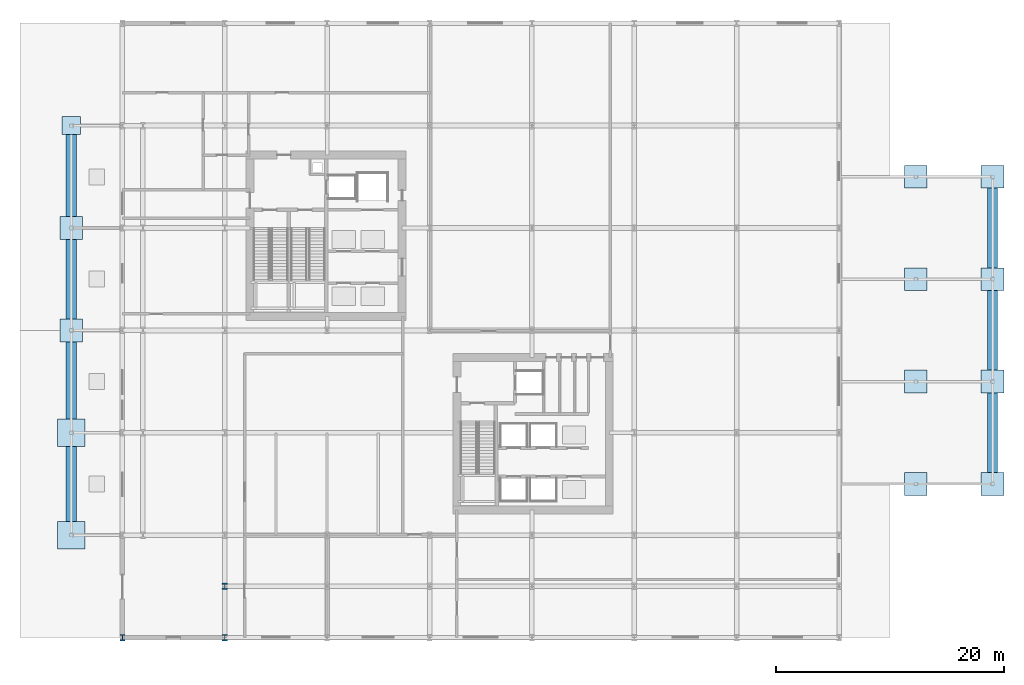
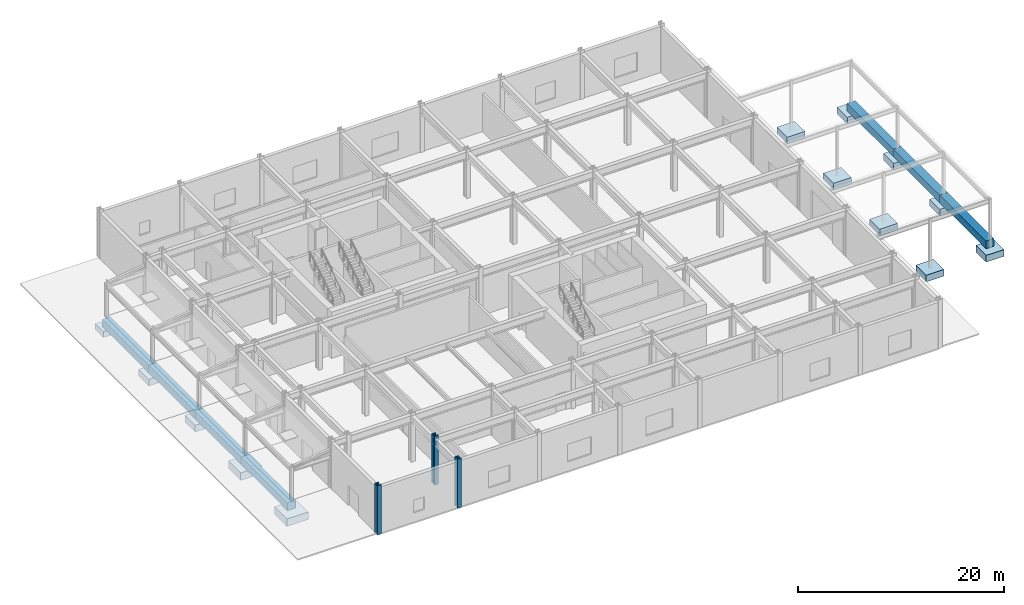
# One storey, part 1 of 19: 20 footings, 3 columns.
"""IFC4 building model written with IfcOpenShell, lengths in metres."""

from ifc_helpers import new_model, si_unit, direction, frame, origin, origin_2d, place, context, subcontext, project, spatial, rectangle, i_section, extrude, material, layer, layer_set, material_profile, profile_set, type_object, element, save


model = new_model("IFC4")

# Units and contexts
model_context = context("Model", 3, precision=1e-05, world=origin(), true_north=direction((0.0, 1.0)))
body_context = subcontext(model_context, "Body", "Model", "MODEL_VIEW")
ifc_project = project(units=[si_unit("LENGTHUNIT", "METRE"), si_unit("AREAUNIT", "SQUARE_METRE"), si_unit("VOLUMEUNIT", "CUBIC_METRE"), si_unit("PLANEANGLEUNIT", "RADIAN"), si_unit("MASSUNIT", "GRAM", prefix="KILO")], contexts=[model_context])

# Site, building, storey
site_placement = place(None, origin())
site = spatial("IfcSite", under=ifc_project, at=site_placement, CompositionType="ELEMENT")
building_placement = place(site_placement, origin())
building = spatial("IfcBuilding", under=site, at=building_placement, Name="Solvaryn Broadcast Tower", CompositionType="ELEMENT")
storey_placement = place(building_placement, origin())
storey = spatial("IfcBuildingStorey", under=building, at=storey_placement, Name="L00", CompositionType="ELEMENT", Elevation=0.0)

# Footings
ifc_material_1 = material(Name="Concrete f'c 60 MPa", Category="concrete")
ifc_material_profile_1 = material_profile(ifc_material_1, rectangle(XDim=0.89990234375, YDim=0.89990234375, at=origin_2d()))
ifc_profile_set_1 = profile_set([ifc_material_profile_1], Name="Concrete f'c 60 MPa")
footing_type_1 = type_object("IfcFootingType", Name="FT-GB-900", PredefinedType="FOOTING_BEAM", material=ifc_profile_set_1)
for number, where, z_axis, x_axis, name in (
    (1, (-4.5, 9.0, -0.64990234375), (0.0, 1.0, 0.0), (-1.0, 0.0, 0.0), "West Canopy Grade Beam 1"),
    (2, (-4.5, 18.0, -0.64990234375), (0.0, 1.0, 0.0), (-1.0, 0.0, 0.0), "West Canopy Grade Beam 2"),
    (3, (-4.5, 27.0, -0.64990234375), (0.0, 1.0, 0.0), (-1.0, 0.0, 0.0), "West Canopy Grade Beam 3"),
    (4, (-4.5, 36.0, -0.64990234375), (0.0, 1.0, 0.0), (-1.0, 0.0, 0.0), "West Canopy Grade Beam 4"),
    (5, (76.5, 13.5, -0.64990234375), (0.0, 1.0, 0.0), (-1.0, 0.0, 0.0), "East OB Apron Grade Beam 1"),
    (6, (76.5, 22.5, -0.64990234375), (0.0, 1.0, 0.0), (-1.0, 0.0, 0.0), "East OB Apron Grade Beam 2"),
    (7, (76.5, 31.5, -0.64990234375), (0.0, 1.0, 0.0), (-1.0, 0.0, 0.0), "East OB Apron Grade Beam 3"),
):
    element("IfcFooting", number, at=place(storey_placement, frame(where, z_axis=z_axis, x_axis=x_axis)), inside=storey, type_object=footing_type_1, Name=name, PredefinedType="FOOTING_BEAM", context=body_context, shape_type="SweptSolid", body=[
        extrude(rectangle(XDim=0.89990234375, YDim=0.89990234375, at=origin_2d()), origin(), (0.0, 0.0, 1.0), 9.0),
    ])
ifc_material_2 = material(Name="Concrete f'c 60 MPa", Category="concrete")
ifc_layer_1 = layer(ifc_material_2, 0.699951171875)
ifc_layer_set_1 = layer_set([ifc_layer_1], Name="FT-PAD-1600")
footing_type_2 = type_object("IfcFootingType", Name="FT-PAD-1600", PredefinedType="PAD_FOOTING", material=ifc_layer_set_1)
footing_placement = place(storey_placement, frame((-4.5, 45.0, -1.7998046875), z_axis=(0.0, 0.0, 1.0), x_axis=(1.0, 0.0, 0.0)))
element("IfcFooting", 8, at=footing_placement, inside=storey, type_object=footing_type_2, Name="West Canopy Pad Footing 5", PredefinedType="PAD_FOOTING", context=body_context, shape_type="SweptSolid", body=[
    extrude(rectangle(XDim=1.60009765625, YDim=1.60009765625, at=origin_2d()), origin(), (0.0, 0.0, 1.0), 0.699951171875),
])
ifc_material_3 = material(Name="Concrete f'c 60 MPa", Category="concrete")
ifc_layer_2 = layer(ifc_material_3, 0.800048828125)
ifc_layer_set_2 = layer_set([ifc_layer_2], Name="FT-PAD-2000")
footing_type_3 = type_object("IfcFootingType", Name="FT-PAD-2000", PredefinedType="PAD_FOOTING", material=ifc_layer_set_2)
for number, where, z_axis, x_axis, name in (
    (9, (-4.5, 27.0, -1.89990234375), (0.0, 0.0, 1.0), (1.0, 0.0, 0.0), "West Canopy Pad Footing 3"),
    (10, (-4.5, 36.0, -1.89990234375), (0.0, 0.0, 1.0), (1.0, 0.0, 0.0), "West Canopy Pad Footing 4"),
    (11, (76.5, 13.5, -1.89990234375), (0.0, 0.0, 1.0), (1.0, 0.0, 0.0), "East OB Apron Pad Footing 1"),
    (12, (69.75, 13.5, -1.89990234375), (0.0, 0.0, 1.0), (1.0, 0.0, 0.0), "East OB Mid Pad Footing 1"),
    (13, (76.5, 22.5, -1.89990234375), (0.0, 0.0, 1.0), (1.0, 0.0, 0.0), "East OB Apron Pad Footing 2"),
    (14, (69.75, 22.5, -1.89990234375), (0.0, 0.0, 1.0), (1.0, 0.0, 0.0), "East OB Mid Pad Footing 2"),
    (15, (76.5, 31.5, -1.89990234375), (0.0, 0.0, 1.0), (1.0, 0.0, 0.0), "East OB Apron Pad Footing 3"),
    (16, (69.75, 31.5, -1.89990234375), (0.0, 0.0, 1.0), (1.0, 0.0, 0.0), "East OB Mid Pad Footing 3"),
    (17, (76.5, 40.5, -1.89990234375), (0.0, 0.0, 1.0), (1.0, 0.0, 0.0), "East OB Apron Pad Footing 4"),
    (18, (69.75, 40.5, -1.89990234375), (0.0, 0.0, 1.0), (1.0, 0.0, 0.0), "East OB Mid Pad Footing 4"),
):
    element("IfcFooting", number, at=place(storey_placement, frame(where, z_axis=z_axis, x_axis=x_axis)), inside=storey, type_object=footing_type_3, Name=name, PredefinedType="PAD_FOOTING", context=body_context, shape_type="SweptSolid", body=[
        extrude(rectangle(XDim=2.0, YDim=2.0, at=origin_2d()), origin(), (0.0, 0.0, 1.0), 0.800048828125),
    ])
ifc_material_4 = material(Name="Concrete f'c 60 MPa", Category="concrete")
ifc_layer_3 = layer(ifc_material_4, 0.89990234375)
ifc_layer_set_3 = layer_set([ifc_layer_3], Name="FT-PAD-2400")
footing_type_4 = type_object("IfcFootingType", Name="FT-PAD-2400", PredefinedType="PAD_FOOTING", material=ifc_layer_set_3)
for number, where, z_axis, x_axis, name in (
    (19, (-4.5, 9.0, -2.0), (0.0, 0.0, 1.0), (1.0, 0.0, 0.0), "West Canopy Pad Footing 1"),
    (20, (-4.5, 18.0, -2.0), (0.0, 0.0, 1.0), (1.0, 0.0, 0.0), "West Canopy Pad Footing 2"),
):
    element("IfcFooting", number, at=place(storey_placement, frame(where, z_axis=z_axis, x_axis=x_axis)), inside=storey, type_object=footing_type_4, Name=name, PredefinedType="PAD_FOOTING", context=body_context, shape_type="SweptSolid", body=[
        extrude(rectangle(XDim=2.39990234375, YDim=2.39990234375, at=origin_2d()), origin(), (0.0, 0.0, 1.0), 0.89990234375),
    ])

# Columns
ifc_material_5 = material(Name="Steel ASTM A913 Grade 65", Category="steel")
ifc_material_profile_2 = material_profile(ifc_material_5, i_section(OverallWidth=0.4541015625, OverallDepth=0.569091796875, WebThickness=0.077880859375, FlangeThickness=0.124755859375, FilletRadius=0.014892578125, at=origin_2d()))
ifc_profile_set_2 = profile_set([ifc_material_profile_2], Name="Steel ASTM A913 Grade 65")
column_type_1 = type_object("IfcColumnType", Name="COL-C01E-W14X730", PredefinedType="COLUMN", material=ifc_profile_set_2)
for number, where, z_axis, x_axis, name in (
    (21, (0.0, 0.0, 0.0), (0.0, 0.0, 1.0), (1.0, 0.0, 0.0), "L00 Column (0.0, 0.0)"),
    (22, (9.0, 0.0, 0.0), (0.0, 0.0, 1.0), (1.0, 0.0, 0.0), "L00 Column (9.0, 0.0)"),
):
    element("IfcColumn", number, at=place(storey_placement, frame(where, z_axis=z_axis, x_axis=x_axis)), inside=storey, type_object=column_type_1, Name=name, PredefinedType="COLUMN", context=body_context, shape_type="SweptSolid", body=[
        extrude(i_section(OverallWidth=0.4541015625, OverallDepth=0.569091796875, WebThickness=0.077880859375, FlangeThickness=0.124755859375, FilletRadius=0.014892578125, at=origin_2d()), origin(), (0.0, 0.0, 1.0), 5.800048828125),
    ])
ifc_material_6 = material(Name="Steel ASTM A913 Grade 65", Category="steel")
ifc_material_profile_3 = material_profile(ifc_material_6, i_section(OverallWidth=0.4541015625, OverallDepth=0.569091796875, WebThickness=0.077880859375, FlangeThickness=0.124755859375, FilletRadius=0.014892578125, at=origin_2d()))
ifc_profile_set_3 = profile_set([ifc_material_profile_3], Name="Steel ASTM A913 Grade 65")
column_type_2 = type_object("IfcColumnType", Name="COL-C01I-W14X730", PredefinedType="COLUMN", material=ifc_profile_set_3)
column_placement = place(storey_placement, frame((9.0, 4.5, 0.0), z_axis=(0.0, 0.0, 1.0), x_axis=(1.0, 0.0, 0.0)))
element("IfcColumn", 23, at=column_placement, inside=storey, type_object=column_type_2, Name="L00 Column (9.0, 4.5)", PredefinedType="COLUMN", context=body_context, shape_type="SweptSolid", body=[
    extrude(i_section(OverallWidth=0.4541015625, OverallDepth=0.569091796875, WebThickness=0.077880859375, FlangeThickness=0.124755859375, FilletRadius=0.014892578125, at=origin_2d()), origin(), (0.0, 0.0, 1.0), 5.800048828125),
])

save(model, "model.ifc")
